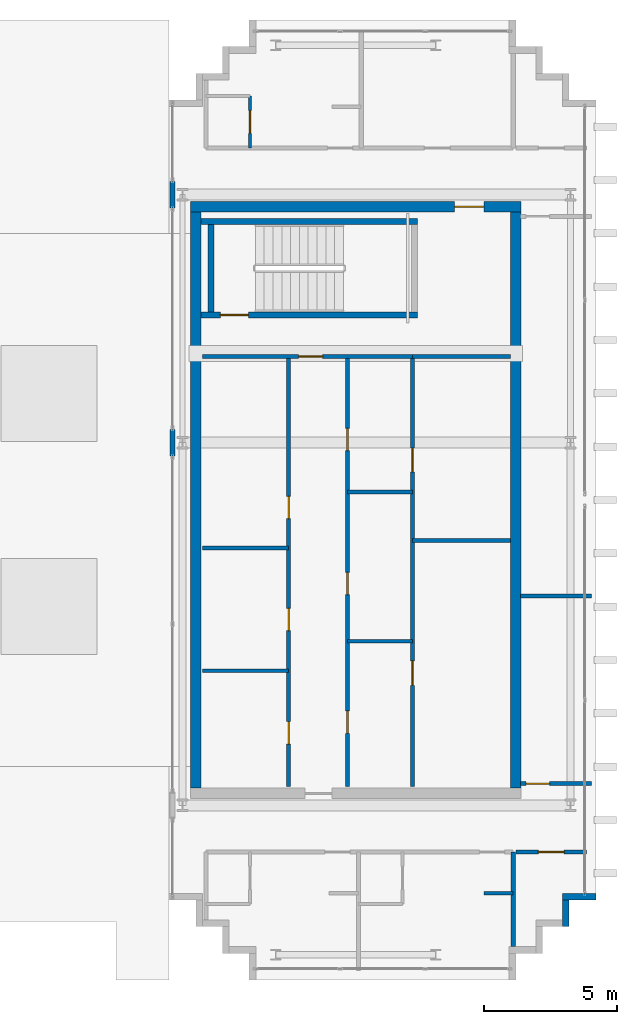
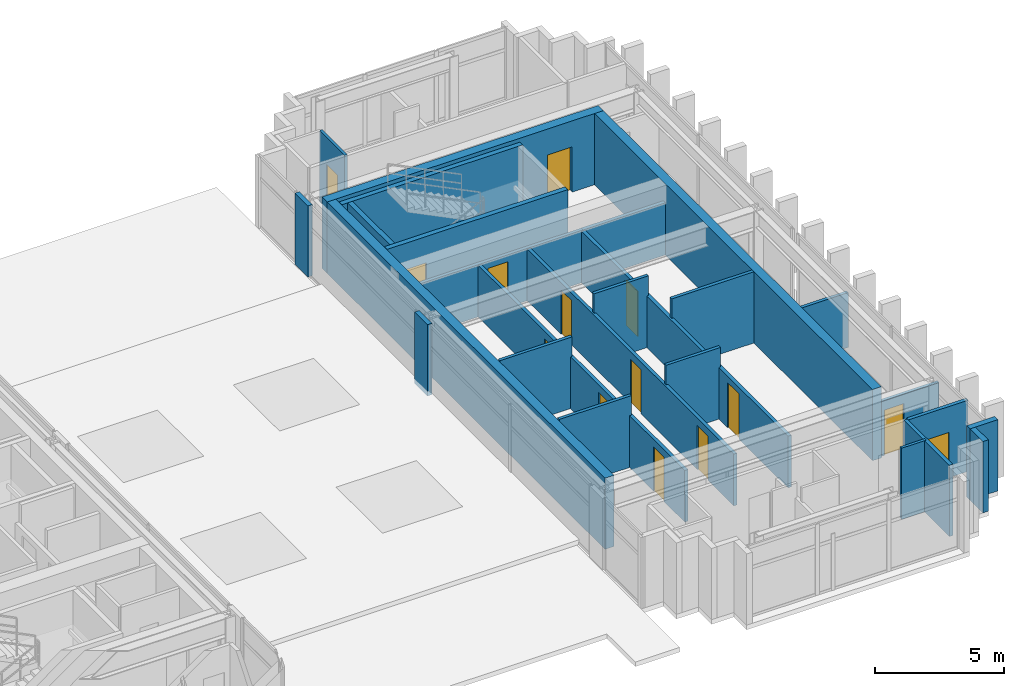
# One storey, part 22 of 25: 26 walls, 14 doors, 14 openings.
"""IFC4 building model written with IfcOpenShell, lengths in metres."""

from ifc_helpers import new_model, si_unit, direction, frame, frame_2d, origin, place, context, subcontext, project, spatial, rectangle, extrude, source, transform, mapped, material, layer, layer_set, type_object, element, fill, save


model = new_model("IFC4")

# Units and contexts
model_context = context("Model", 3, precision=1e-05, world=origin(), true_north=direction((0.0, 1.0)))
body_context = subcontext(model_context, "Body", "Model", "MODEL_VIEW")
ifc_project = project(units=[si_unit("LENGTHUNIT", "METRE"), si_unit("AREAUNIT", "SQUARE_METRE"), si_unit("VOLUMEUNIT", "CUBIC_METRE"), si_unit("PLANEANGLEUNIT", "RADIAN"), si_unit("MASSUNIT", "GRAM", prefix="KILO")], contexts=[model_context])

# Site, building, storey
site_placement = place(None, origin())
site = spatial("IfcSite", under=ifc_project, at=site_placement, CompositionType="ELEMENT")
building_placement = place(site_placement, origin())
building = spatial("IfcBuilding", under=site, at=building_placement, Name="Ocotamira Hotel", CompositionType="ELEMENT")
storey_placement = place(building_placement, frame((0.0, 0.0, 250.800048828125)))
storey = spatial("IfcBuildingStorey", under=building, at=storey_placement, Name="L63", CompositionType="ELEMENT", Elevation=250.800048828125)

# Wall, opening, door
ifc_material_1 = material(Name="Concrete C50/60", Category="concrete")
ifc_layer_1 = layer(ifc_material_1, 0.39990234375)
ifc_layer_set_1 = layer_set([ifc_layer_1], Name="Concrete C50/60")
wall_type_1 = type_object("IfcWallType", Name="WL-CORE-400", PredefinedType="SHEAR", material=ifc_layer_set_1)
wall_1_placement = place(storey_placement, frame((40.800048828125, 37.0, 0.0), z_axis=(0.0, 0.0, 1.0), x_axis=(1.0, 0.0, 0.0)))
wall_1 = element("IfcWall", 1, at=wall_1_placement, inside=storey, type_object=wall_type_1, Name="L63 Shear Core Wall ECORE-N", PredefinedType="SHEAR", context=body_context, shape_type="SweptSolid", body=[
    extrude(rectangle(XDim=12.39990234375, YDim=0.39990234375, at=frame_2d((6.199951171875, 0.0))), origin(), (0.0, 0.0, 1.0), 3.3798828125),
])
opening_1_placement = place(wall_1_placement, frame((9.89990234375, 0.0, 0.0)))
opening_1 = element("IfcOpeningElement", 2, at=opening_1_placement, cuts=wall_1, Name="Opening D-FR1", PredefinedType="OPENING", context=body_context, shape_type="SweptSolid", body=[
    extrude(rectangle(XDim=1.10009765625, YDim=2.14990234375, at=frame_2d((0.550048828125, 1.074951171875))), frame((0.0, 0.2099609375, 0.0), z_axis=(0.0, -1.0, 0.0), x_axis=(1.0, 0.0, 0.0)), (0.0, 0.0, 1.0), 0.419921875),
])
ifc_material_2 = material(Name="Fire-rated acoustic timber-veneer door", Category="wood")
door_type_1 = type_object("IfcDoorType", Name="DR-FIRE-1100", OperationType="NOTDEFINED", PredefinedType="DOOR", material=ifc_material_2)
shared_shape_1 = source(origin(), body_context, "Body", "SweptSolid", [
    extrude(rectangle(XDim=1.10009765625, YDim=2.14990234375, at=frame_2d((0.550048828125, 1.074951171875))), frame((0.0, 0.02490234375, 0.0), z_axis=(0.0, -1.0, 0.0), x_axis=(1.0, 0.0, 0.0)), (0.0, 0.0, 1.0), 0.050048828125),
])
door_1_placement = place(opening_1_placement, origin())
door_1 = element("IfcDoor", 3, at=door_1_placement, inside=storey, type_object=door_type_1, Name="L63 Door ID-L63-ELOB-N-D [ID-L63-ELOB-N-D]", OperationType="SINGLE_SWING_LEFT", OverallHeight=2.14990234375, OverallWidth=1.10009765625, PredefinedType="DOOR", context=body_context, shape_type="MappedRepresentation", body=[
    mapped(shared_shape_1, transform((0.0, 0.0, 0.0), scale=1.0)),
])
fill(opening_1, door_1)

# Walls
for number, where, z_axis, x_axis, name in (
    (4, (41.0, 15.199951171875, 0.0), (0.0, 0.0, 1.0), (0.0, 1.0, 0.0), "L63 Shear Core Wall ECORE-W"),
    (5, (53.0, 15.199951171875, 0.0), (0.0, 0.0, 1.0), (0.0, 1.0, 0.0), "L63 Shear Core Wall ECORE-E"),
):
    element("IfcWall", number, at=place(storey_placement, frame(where, z_axis=z_axis, x_axis=x_axis)), inside=storey, type_object=wall_type_1, Name=name, PredefinedType="SHEAR", context=body_context, shape_type="SweptSolid", body=[
        extrude(rectangle(XDim=21.60009765625, YDim=0.39990234375, at=frame_2d((10.800048828125, 0.0))), origin(), (0.0, 0.0, 1.0), 3.3798828125),
    ])
ifc_material_3 = material(Name="Precast concrete C45/55", Category="concrete")
ifc_layer_2 = layer(ifc_material_3, 0.25)
ifc_layer_set_2 = layer_set([ifc_layer_2], Name="Precast concrete C45/55")
wall_type_2 = type_object("IfcWallType", Name="WL-EXT-SER-250", PredefinedType="SOLIDWALL", material=ifc_layer_set_2)
wall_2_placement = place(storey_placement, frame((54.875, 10.0, 0.0), z_axis=(0.0, 0.0, 1.0), x_axis=(0.0, 1.0, 0.0)))
element("IfcWall", 6, at=wall_2_placement, inside=storey, type_object=wall_type_2, Name="L63 -E Serrated Corner Wall 05", PredefinedType="SOLIDWALL", context=body_context, shape_type="SweptSolid", body=[
    extrude(rectangle(XDim=1.0, YDim=0.25, at=frame_2d((0.5, 0.0))), origin(), (0.0, 0.0, 1.0), 3.3798828125),
])
wall_3_placement = place(storey_placement, frame((54.75, 11.125, 0.0), z_axis=(0.0, 0.0, 1.0), x_axis=(1.0, 0.0, 0.0)))
element("IfcWall", 7, at=wall_3_placement, inside=storey, type_object=wall_type_2, Name="L63 -E Serrated Corner Wall 06", PredefinedType="SOLIDWALL", context=body_context, shape_type="SweptSolid", body=[
    extrude(rectangle(XDim=1.25, YDim=0.25, at=frame_2d((0.625, 0.0))), origin(), (0.0, 0.0, 1.0), 3.3798828125),
])
ifc_material_4 = material(Name="Acoustic double-layer fire gypsum board partition", Category="gypsum")
ifc_layer_3 = layer(ifc_material_4, 0.159912109375)
ifc_layer_set_3 = layer_set([ifc_layer_3], Name="Acoustic double-layer fire gypsum board partition")
wall_type_3 = type_object("IfcWallType", Name="WL-FIRE-160", PredefinedType="PARTITIONING", material=ifc_layer_set_3)
wall_4_placement = place(storey_placement, frame((49.1201171875, 31.3798828125, 0.0), z_axis=(0.0, 0.0, 1.0), x_axis=(1.0, 0.0, 0.0)))
element("IfcWall", 8, at=wall_4_placement, inside=storey, type_object=wall_type_3, Name="L63 Interior Wall PW-L63-EC-FLOW-N", PredefinedType="PARTITIONING", context=body_context, shape_type="SweptSolid", body=[
    extrude(rectangle(XDim=3.679931640625, YDim=0.159912109375, at=frame_2d((1.83984375, 0.0))), origin(), (0.0, 0.0, 1.0), 2.47998046875),
])

# Wall, openings, doors
wall_5_placement = place(storey_placement, frame((49.1201171875, 15.25, 0.0), z_axis=(0.0, 0.0, 1.0), x_axis=(0.0, 1.0, 0.0)))
wall_5 = element("IfcWall", 9, at=wall_5_placement, inside=storey, type_object=wall_type_3, Name="L63 Interior Wall PW-L63-EC-FLOW-W", PredefinedType="PARTITIONING", context=body_context, shape_type="SweptSolid", body=[
    extrude(rectangle(XDim=16.1298828125, YDim=0.159912109375, at=frame_2d((8.06494140625, 0.0))), origin(), (0.0, 0.0, 1.0), 2.452880859375),
])
opening_2_placement = place(wall_5_placement, frame((3.800048828125, 0.0, 0.0)))
opening_2 = element("IfcOpeningElement", 10, at=opening_2_placement, cuts=wall_5, Name="Opening D-SV3", PredefinedType="OPENING", context=body_context, shape_type="SweptSolid", body=[
    extrude(rectangle(XDim=0.919921875, YDim=2.14990234375, at=frame_2d((0.4599609375, 1.074951171875))), frame((0.0, 0.08984375, 0.0), z_axis=(0.0, -1.0, 0.0), x_axis=(1.0, 0.0, 0.0)), (0.0, 0.0, 1.0), 0.179931640625),
])
opening_3_placement = place(wall_5_placement, frame((11.800048828125, 0.0, 0.0)))
opening_3 = element("IfcOpeningElement", 11, at=opening_3_placement, cuts=wall_5, Name="Opening D-IN3", PredefinedType="OPENING", context=body_context, shape_type="SweptSolid", body=[
    extrude(rectangle(XDim=0.89990234375, YDim=2.14990234375, at=frame_2d((0.449951171875, 1.074951171875))), frame((0.0, 0.08984375, 0.0), z_axis=(0.0, -1.0, 0.0), x_axis=(1.0, 0.0, 0.0)), (0.0, 0.0, 1.0), 0.179931640625),
])
ifc_material_5 = material(Name="Painted service room door", Category="steel")
door_type_2 = type_object("IfcDoorType", Name="DR-INT-900", OperationType="NOTDEFINED", PredefinedType="DOOR", material=ifc_material_5)
shared_shape_2 = source(origin(), body_context, "Body", "SweptSolid", [
    extrude(rectangle(XDim=0.89990234375, YDim=2.14990234375, at=frame_2d((0.449951171875, 1.074951171875))), frame((0.0, 0.02490234375, 0.0), z_axis=(0.0, -1.0, 0.0), x_axis=(1.0, 0.0, 0.0)), (0.0, 0.0, 1.0), 0.050048828125),
])
door_2_placement = place(opening_3_placement, origin())
door_2 = element("IfcDoor", 12, at=door_2_placement, inside=storey, type_object=door_type_2, Name="L63 Door ID-L63-EC-FLOW-DB [ID-L63-EC-FLOW-DB]", OperationType="SINGLE_SWING_RIGHT", OverallHeight=2.14990234375, OverallWidth=0.89990234375, PredefinedType="DOOR", context=body_context, shape_type="MappedRepresentation", body=[
    mapped(shared_shape_2, transform((0.0, 0.0, 0.0), scale=1.0)),
])
fill(opening_3, door_2)
ifc_material_6 = material(Name="Fire-rated walnut hospitality door", Category="wood")
door_type_3 = type_object("IfcDoorType", Name="DR-SERV-920", OperationType="NOTDEFINED", PredefinedType="DOOR", material=ifc_material_6)
shared_shape_3 = source(origin(), body_context, "Body", "SweptSolid", [
    extrude(rectangle(XDim=0.919921875, YDim=2.14990234375, at=frame_2d((0.4599609375, 1.074951171875))), frame((0.0, 0.02490234375, 0.0), z_axis=(0.0, -1.0, 0.0), x_axis=(1.0, 0.0, 0.0)), (0.0, 0.0, 1.0), 0.050048828125),
])
door_3_placement = place(opening_2_placement, origin())
door_3 = element("IfcDoor", 13, at=door_3_placement, inside=storey, type_object=door_type_3, Name="L63 Door ID-L63-EC-FLOW-DA [ID-L63-EC-FLOW-DA]", OperationType="SINGLE_SWING_LEFT", OverallHeight=2.14990234375, OverallWidth=0.919921875, PredefinedType="DOOR", context=body_context, shape_type="MappedRepresentation", body=[
    mapped(shared_shape_3, transform((0.0, 0.0, 0.0), scale=1.0)),
])
fill(opening_2, door_3)

# Wall, opening, door
wall_6_placement = place(storey_placement, frame((53.0, 12.800048828125, 0.0), z_axis=(0.0, 0.0, 1.0), x_axis=(1.0, 0.0, 0.0)))
wall_6 = element("IfcWall", 14, at=wall_6_placement, inside=storey, type_object=wall_type_3, Name="L63 Interior Wall PW-L63-SPCSE0-CW", PredefinedType="PARTITIONING", context=body_context, shape_type="SweptSolid", body=[
    extrude(rectangle(XDim=2.64990234375, YDim=0.159912109375, at=frame_2d((1.324951171875, 0.0))), origin(), (0.0, 0.0, 1.0), 3.3798828125),
])
opening_4_placement = place(wall_6_placement, frame((0.844970703125, 0.0, 0.0)))
opening_4 = element("IfcOpeningElement", 15, at=opening_4_placement, cuts=wall_6, Name="Opening D-SV4", PredefinedType="OPENING", context=body_context, shape_type="SweptSolid", body=[
    extrude(rectangle(XDim=0.9599609375, YDim=2.14990234375, at=frame_2d((0.47998046875, 1.074951171875))), frame((0.0, 0.08984375, 0.0), z_axis=(0.0, -1.0, 0.0), x_axis=(1.0, 0.0, 0.0)), (0.0, 0.0, 1.0), 0.179931640625),
])
ifc_material_7 = material(Name="Fire-rated accessible walnut salon door", Category="wood")
door_type_4 = type_object("IfcDoorType", Name="DR-SERV-960", OperationType="NOTDEFINED", PredefinedType="DOOR", material=ifc_material_7)
shared_shape_4 = source(origin(), body_context, "Body", "SweptSolid", [
    extrude(rectangle(XDim=0.9599609375, YDim=2.14990234375, at=frame_2d((0.47998046875, 1.074951171875))), frame((0.0, 0.02490234375, 0.0), z_axis=(0.0, -1.0, 0.0), x_axis=(1.0, 0.0, 0.0)), (0.0, 0.0, 1.0), 0.050048828125),
])
door_4_placement = place(opening_4_placement, origin())
door_4 = element("IfcDoor", 16, at=door_4_placement, inside=storey, type_object=door_type_4, Name="L63 Door ID-L63-SPCSE0-CD [ID-L63-SPCSE0-CD]", OperationType="SINGLE_SWING_LEFT", OverallHeight=2.14990234375, OverallWidth=0.9599609375, PredefinedType="DOOR", context=body_context, shape_type="MappedRepresentation", body=[
    mapped(shared_shape_4, transform((0.0, 0.0, 0.0), scale=1.0)),
])
fill(opening_4, door_4)

# Walls
ifc_layer_4 = layer(ifc_material_3, 0.219970703125)
ifc_layer_set_4 = layer_set([ifc_layer_4], Name="Precast concrete C45/55")
wall_type_4 = type_object("IfcWallType", Name="WL-PARA-220", PredefinedType="PARAPET", material=ifc_layer_set_4)
for number, where, z_axis, x_axis, name in (
    (17, (40.1201171875, 27.64990234375, 0.0), (0.0, 0.0, 1.0), (0.0, 1.0, 0.0), "L63 Split-Wing Column Spandrel Closure E2"),
    (18, (40.1201171875, 36.949951171875, 0.0), (0.0, 0.0, 1.0), (0.0, 1.0, 0.0), "L63 Split-Wing Column Spandrel Closure E3"),
):
    element("IfcWall", number, at=place(storey_placement, frame(where, z_axis=z_axis, x_axis=x_axis)), inside=storey, type_object=wall_type_4, Name=name, PredefinedType="PARAPET", context=body_context, shape_type="SweptSolid", body=[
        extrude(rectangle(XDim=1.0, YDim=0.199951171875, at=frame_2d((0.5, 0.0))), origin(), (0.0, 0.0, 1.0), 3.3798828125),
    ])
ifc_material_8 = material(Name="Moisture-resistant en-suite tile and gypsum partition", Category="gypsum")
ifc_layer_5 = layer(ifc_material_8, 0.1201171875)
ifc_layer_set_5 = layer_set([ifc_layer_5], Name="Moisture-resistant en-suite tile and gypsum partition")
wall_type_5 = type_object("IfcWallType", Name="WL-PART-120", PredefinedType="PARTITIONING", material=ifc_layer_set_5)
wall_7_placement = place(storey_placement, frame((51.800048828125, 11.25, 0.0), z_axis=(0.0, 0.0, 1.0), x_axis=(1.0, 0.0, 0.0)))
element("IfcWall", 19, at=wall_7_placement, inside=storey, type_object=wall_type_5, Name="L63 Interior Wall PW-L63-SPE0S-DRN2", PredefinedType="PARTITIONING", context=body_context, shape_type="SweptSolid", body=[
    extrude(rectangle(XDim=1.099853515625, YDim=0.1201171875, at=frame_2d((0.5498046875, 0.0))), origin(), (0.0, 0.0, 1.0), 3.3798828125),
])

# Wall, opening, door
wall_8_placement = place(storey_placement, frame((43.030029296875, 39.199951171875, 0.0), z_axis=(0.0, 0.0, 1.0), x_axis=(0.0, 1.0, 0.0)))
wall_8 = element("IfcWall", 20, at=wall_8_placement, inside=storey, type_object=wall_type_5, Name="L63 Interior Wall PW-L63-SPE0N-BAE1", PredefinedType="PARTITIONING", context=body_context, shape_type="SweptSolid", body=[
    extrude(rectangle(XDim=1.949951171875, YDim=0.1201171875, at=frame_2d((0.97509765625, 0.0))), origin(), (0.0, 0.0, 1.0), 3.3798828125),
])
opening_5_placement = place(wall_8_placement, frame((0.544921875, 0.0, 0.0)))
opening_5 = element("IfcOpeningElement", 21, at=opening_5_placement, cuts=wall_8, Name="Opening D-BA1", PredefinedType="OPENING", context=body_context, shape_type="SweptSolid", body=[
    extrude(rectangle(XDim=0.860107421875, YDim=2.10009765625, at=frame_2d((0.43017578125, 1.050048828125))), frame((0.0, 0.070068359375, 0.0), z_axis=(0.0, -1.0, 0.0), x_axis=(1.0, 0.0, 0.0)), (0.0, 0.0, 1.0), 0.14013671875),
])
ifc_material_9 = material(Name="Moisture-sealed en-suite timber door", Category="wood")
door_type_5 = type_object("IfcDoorType", Name="DR-BATH-860", OperationType="NOTDEFINED", PredefinedType="DOOR", material=ifc_material_9)
shared_shape_5 = source(origin(), body_context, "Body", "SweptSolid", [
    extrude(rectangle(XDim=0.860107421875, YDim=2.10009765625, at=frame_2d((0.43017578125, 1.050048828125))), frame((0.0, 0.02490234375, 0.0), z_axis=(0.0, -1.0, 0.0), x_axis=(1.0, 0.0, 0.0)), (0.0, 0.0, 1.0), 0.050048828125),
])
door_5_placement = place(opening_5_placement, origin())
door_5 = element("IfcDoor", 22, at=door_5_placement, inside=storey, type_object=door_type_5, Name="L63 Door ID-L63-SPE0N-BAD1 [ID-L63-SPE0N-BAD1]", OperationType="SINGLE_SWING_RIGHT", OverallHeight=2.10009765625, OverallWidth=0.860107421875, PredefinedType="DOOR", context=body_context, shape_type="MappedRepresentation", body=[
    mapped(shared_shape_5, transform((0.0, 0.0, 0.0), scale=1.0)),
])
fill(opening_5, door_5)

# Walls
ifc_material_10 = material(Name="Acoustic hospitality gypsum board partition", Category="gypsum")
ifc_layer_6 = layer(ifc_material_10, 0.14208984375)
ifc_layer_set_6 = layer_set([ifc_layer_6], Name="Acoustic hospitality gypsum board partition")
wall_type_6 = type_object("IfcWallType", Name="WL-PART-142", PredefinedType="PARTITIONING", material=ifc_layer_set_6)
for number, where, z_axis, x_axis, name in (
    (23, (46.679931640625, 20.699951171875, 0.0), (0.0, 0.0, 1.0), (1.0, 0.0, 0.0), "L63 Interior Wall PW-L63-EC-HDIVA"),
    (24, (46.679931640625, 26.300048828125, 0.0), (0.0, 0.0, 1.0), (1.0, 0.0, 0.0), "L63 Interior Wall PW-L63-EC-HDIVB"),
):
    element("IfcWall", number, at=place(storey_placement, frame(where, z_axis=z_axis, x_axis=x_axis)), inside=storey, type_object=wall_type_6, Name=name, PredefinedType="PARTITIONING", context=body_context, shape_type="SweptSolid", body=[
        extrude(rectangle(XDim=2.440185546875, YDim=0.14208984375, at=frame_2d((1.22021484375, 0.0))), origin(), (0.0, 0.0, 1.0), 3.3798828125),
    ])
for number, where, z_axis, x_axis, name in (
    (25, (41.25, 19.60009765625, 0.0), (0.0, 0.0, 1.0), (1.0, 0.0, 0.0), "L63 Interior Wall PW-L63-EC-FMD1"),
    (26, (41.25, 24.199951171875, 0.0), (0.0, 0.0, 1.0), (1.0, 0.0, 0.0), "L63 Interior Wall PW-L63-EC-FMD2"),
):
    element("IfcWall", number, at=place(storey_placement, frame(where, z_axis=z_axis, x_axis=x_axis)), inside=storey, type_object=wall_type_6, Name=name, PredefinedType="PARTITIONING", context=body_context, shape_type="SweptSolid", body=[
        extrude(rectangle(XDim=3.22998046875, YDim=0.14208984375, at=frame_2d((1.614990234375, 0.0))), origin(), (0.0, 0.0, 1.0), 3.3798828125),
    ])
wall_9_placement = place(storey_placement, frame((53.179931640625, 22.39990234375, 0.0), z_axis=(0.0, 0.0, 1.0), x_axis=(1.0, 0.0, 0.0)))
element("IfcWall", 27, at=wall_9_placement, inside=storey, type_object=wall_type_6, Name="L63 Interior Wall PW-L63-SP0E-DV1", PredefinedType="PARTITIONING", context=body_context, shape_type="SweptSolid", body=[
    extrude(rectangle(XDim=2.66015625, YDim=0.14208984375, at=frame_2d((1.330078125, 0.0))), origin(), (0.0, 0.0, 1.0), 2.600830078125),
])

# Wall, opening, door
ifc_layer_7 = layer(ifc_material_10, 0.14990234375)
ifc_layer_set_7 = layer_set([ifc_layer_7], Name="Acoustic hospitality gypsum board partition")
wall_type_7 = type_object("IfcWallType", Name="WL-PART-150", PredefinedType="PARTITIONING", material=ifc_layer_set_7)
wall_10_placement = place(storey_placement, frame((41.25, 31.3798828125, 0.0), z_axis=(0.0, 0.0, 1.0), x_axis=(1.0, 0.0, 0.0)))
wall_10 = element("IfcWall", 28, at=wall_10_placement, inside=storey, type_object=wall_type_7, Name="L63 Interior Wall PW-L63-EC-HMT-N", PredefinedType="PARTITIONING", context=body_context, shape_type="SweptSolid", body=[
    extrude(rectangle(XDim=7.8701171875, YDim=0.14990234375, at=frame_2d((3.93505859375, 0.0))), origin(), (0.0, 0.0, 1.0), 2.47998046875),
])
opening_6_placement = place(wall_10_placement, frame((3.60009765625, 0.0, 0.0)))
opening_6 = element("IfcOpeningElement", 29, at=opening_6_placement, cuts=wall_10, Name="Opening D-IN3", PredefinedType="OPENING", context=body_context, shape_type="SweptSolid", body=[
    extrude(rectangle(XDim=0.89990234375, YDim=2.14990234375, at=frame_2d((0.449951171875, 1.074951171875))), frame((0.0, 0.0849609375, 0.0), z_axis=(0.0, -1.0, 0.0), x_axis=(1.0, 0.0, 0.0)), (0.0, 0.0, 1.0), 0.169921875),
])
door_6_placement = place(opening_6_placement, origin())
door_6 = element("IfcDoor", 30, at=door_6_placement, inside=storey, type_object=door_type_2, Name="L63 Door ID-L63-EC-MGALD [ID-L63-EC-MGALD]", OperationType="SINGLE_SWING_LEFT", OverallHeight=2.14990234375, OverallWidth=0.89990234375, PredefinedType="DOOR", context=body_context, shape_type="MappedRepresentation", body=[
    mapped(shared_shape_2, transform((0.0, 0.0, 0.0), scale=1.0)),
])
fill(opening_6, door_6)

# Wall, openings, doors
wall_11_placement = place(storey_placement, frame((46.679931640625, 15.25, 0.0), z_axis=(0.0, 0.0, 1.0), x_axis=(0.0, 1.0, 0.0)))
wall_11 = element("IfcWall", 31, at=wall_11_placement, inside=storey, type_object=wall_type_7, Name="L63 Interior Wall PW-L63-EC-HMT-W", PredefinedType="PARTITIONING", context=body_context, shape_type="SweptSolid", body=[
    extrude(rectangle(XDim=16.1298828125, YDim=0.14990234375, at=frame_2d((8.06494140625, 0.0))), origin(), (0.0, 0.0, 1.0), 2.452880859375),
])
opening_7_placement = place(wall_11_placement, frame((2.0, 0.0, 0.0)))
opening_7 = element("IfcOpeningElement", 32, at=opening_7_placement, cuts=wall_11, Name="Opening D-SV1", PredefinedType="OPENING", context=body_context, shape_type="SweptSolid", body=[
    extrude(rectangle(XDim=0.840087890625, YDim=2.10009765625, at=frame_2d((0.419921875, 1.050048828125))), frame((0.0, 0.0849609375, 0.0), z_axis=(0.0, -1.0, 0.0), x_axis=(1.0, 0.0, 0.0)), (0.0, 0.0, 1.0), 0.169921875),
])
opening_8_placement = place(wall_11_placement, frame((7.199951171875, 0.0, 0.0)))
opening_8 = element("IfcOpeningElement", 33, at=opening_8_placement, cuts=wall_11, Name="Opening D-SV1", PredefinedType="OPENING", context=body_context, shape_type="SweptSolid", body=[
    extrude(rectangle(XDim=0.840087890625, YDim=2.10009765625, at=frame_2d((0.419921875, 1.050048828125))), frame((0.0, 0.0849609375, 0.0), z_axis=(0.0, -1.0, 0.0), x_axis=(1.0, 0.0, 0.0)), (0.0, 0.0, 1.0), 0.169921875),
])
opening_9_placement = place(wall_11_placement, frame((12.60009765625, 0.0, 0.0)))
opening_9 = element("IfcOpeningElement", 34, at=opening_9_placement, cuts=wall_11, Name="Opening D-SV1", PredefinedType="OPENING", context=body_context, shape_type="SweptSolid", body=[
    extrude(rectangle(XDim=0.840087890625, YDim=2.10009765625, at=frame_2d((0.419921875, 1.050048828125))), frame((0.0, 0.0849609375, 0.0), z_axis=(0.0, -1.0, 0.0), x_axis=(1.0, 0.0, 0.0)), (0.0, 0.0, 1.0), 0.169921875),
])
ifc_material_11 = material(Name="Fire-rated painted steel service door", Category="steel")
door_type_6 = type_object("IfcDoorType", Name="DR-SERV-840", OperationType="NOTDEFINED", PredefinedType="DOOR", material=ifc_material_11)
shared_shape_6 = source(origin(), body_context, "Body", "SweptSolid", [
    extrude(rectangle(XDim=0.840087890625, YDim=2.10009765625, at=frame_2d((0.419921875, 1.050048828125))), frame((0.0, 0.02490234375, 0.0), z_axis=(0.0, -1.0, 0.0), x_axis=(1.0, 0.0, 0.0)), (0.0, 0.0, 1.0), 0.050048828125),
])
door_7_placement = place(opening_7_placement, origin())
door_7 = element("IfcDoor", 35, at=door_7_placement, inside=storey, type_object=door_type_6, Name="L63 Door ID-L63-EC-HMTDA [ID-L63-EC-HMTDA]", OperationType="SINGLE_SWING_LEFT", OverallHeight=2.10009765625, OverallWidth=0.840087890625, PredefinedType="DOOR", context=body_context, shape_type="MappedRepresentation", body=[
    mapped(shared_shape_6, transform((0.0, 0.0, 0.0), scale=1.0)),
])
fill(opening_7, door_7)
door_8_placement = place(opening_8_placement, origin())
door_8 = element("IfcDoor", 36, at=door_8_placement, inside=storey, type_object=door_type_6, Name="L63 Door ID-L63-EC-HMTDB [ID-L63-EC-HMTDB]", OperationType="SINGLE_SWING_RIGHT", OverallHeight=2.10009765625, OverallWidth=0.840087890625, PredefinedType="DOOR", context=body_context, shape_type="MappedRepresentation", body=[
    mapped(shared_shape_6, transform((0.0, 0.0, 0.0), scale=1.0)),
])
fill(opening_8, door_8)
door_9_placement = place(opening_9_placement, origin())
door_9 = element("IfcDoor", 37, at=door_9_placement, inside=storey, type_object=door_type_6, Name="L63 Door ID-L63-EC-HMTDC [ID-L63-EC-HMTDC]", OperationType="SINGLE_SWING_LEFT", OverallHeight=2.10009765625, OverallWidth=0.840087890625, PredefinedType="DOOR", context=body_context, shape_type="MappedRepresentation", body=[
    mapped(shared_shape_6, transform((0.0, 0.0, 0.0), scale=1.0)),
])
fill(opening_9, door_9)

# Wall
wall_12_placement = place(storey_placement, frame((49.1201171875, 24.489990234375, 0.0), z_axis=(0.0, 0.0, 1.0), x_axis=(1.0, 0.0, 0.0)))
element("IfcWall", 38, at=wall_12_placement, inside=storey, type_object=wall_type_7, Name="L63 Interior Wall PW-L63-EC-FDIVA", PredefinedType="PARTITIONING", context=body_context, shape_type="SweptSolid", body=[
    extrude(rectangle(XDim=3.679931640625, YDim=0.14990234375, at=frame_2d((1.83984375, 0.0))), origin(), (0.0, 0.0, 1.0), 3.3798828125),
])

# Wall, openings, doors
wall_13_placement = place(storey_placement, frame((44.47998046875, 15.25, 0.0), z_axis=(0.0, 0.0, 1.0), x_axis=(0.0, 1.0, 0.0)))
wall_13 = element("IfcWall", 39, at=wall_13_placement, inside=storey, type_object=wall_type_7, Name="L63 Interior Wall PW-L63-EC-FMID-E", PredefinedType="PARTITIONING", context=body_context, shape_type="SweptSolid", body=[
    extrude(rectangle(XDim=16.1298828125, YDim=0.14990234375, at=frame_2d((8.06494140625, 0.0))), origin(), (0.0, 0.0, 1.0), 2.452880859375),
])
opening_10_placement = place(wall_13_placement, frame((1.60009765625, 0.0, 0.0)))
opening_10 = element("IfcOpeningElement", 40, at=opening_10_placement, cuts=wall_13, Name="Opening D-SV1", PredefinedType="OPENING", context=body_context, shape_type="SweptSolid", body=[
    extrude(rectangle(XDim=0.840087890625, YDim=2.10009765625, at=frame_2d((0.419921875, 1.050048828125))), frame((0.0, 0.0849609375, 0.0), z_axis=(0.0, -1.0, 0.0), x_axis=(1.0, 0.0, 0.0)), (0.0, 0.0, 1.0), 0.169921875),
])
opening_11_placement = place(wall_13_placement, frame((5.85009765625, 0.0, 0.0)))
opening_11 = element("IfcOpeningElement", 41, at=opening_11_placement, cuts=wall_13, Name="Opening D-SV1", PredefinedType="OPENING", context=body_context, shape_type="SweptSolid", body=[
    extrude(rectangle(XDim=0.840087890625, YDim=2.10009765625, at=frame_2d((0.419921875, 1.050048828125))), frame((0.0, 0.0849609375, 0.0), z_axis=(0.0, -1.0, 0.0), x_axis=(1.0, 0.0, 0.0)), (0.0, 0.0, 1.0), 0.169921875),
])
opening_12_placement = place(wall_13_placement, frame((10.050048828125, 0.0, 0.0)))
opening_12 = element("IfcOpeningElement", 42, at=opening_12_placement, cuts=wall_13, Name="Opening D-SV1", PredefinedType="OPENING", context=body_context, shape_type="SweptSolid", body=[
    extrude(rectangle(XDim=0.840087890625, YDim=2.10009765625, at=frame_2d((0.419921875, 1.050048828125))), frame((0.0, 0.0849609375, 0.0), z_axis=(0.0, -1.0, 0.0), x_axis=(1.0, 0.0, 0.0)), (0.0, 0.0, 1.0), 0.169921875),
])
door_10_placement = place(opening_10_placement, origin())
door_10 = element("IfcDoor", 43, at=door_10_placement, inside=storey, type_object=door_type_6, Name="L63 Door ID-L63-EC-FMD-1 [ID-L63-EC-FMD-1]", OperationType="SINGLE_SWING_LEFT", OverallHeight=2.10009765625, OverallWidth=0.840087890625, PredefinedType="DOOR", context=body_context, shape_type="MappedRepresentation", body=[
    mapped(shared_shape_6, transform((0.0, 0.0, 0.0), scale=1.0)),
])
fill(opening_10, door_10)
door_11_placement = place(opening_11_placement, origin())
door_11 = element("IfcDoor", 44, at=door_11_placement, inside=storey, type_object=door_type_6, Name="L63 Door ID-L63-EC-FMD-2 [ID-L63-EC-FMD-2]", OperationType="SINGLE_SWING_RIGHT", OverallHeight=2.10009765625, OverallWidth=0.840087890625, PredefinedType="DOOR", context=body_context, shape_type="MappedRepresentation", body=[
    mapped(shared_shape_6, transform((0.0, 0.0, 0.0), scale=1.0)),
])
fill(opening_11, door_11)
door_12_placement = place(opening_12_placement, origin())
door_12 = element("IfcDoor", 45, at=door_12_placement, inside=storey, type_object=door_type_6, Name="L63 Door ID-L63-EC-FMD-3 [ID-L63-EC-FMD-3]", OperationType="SINGLE_SWING_LEFT", OverallHeight=2.10009765625, OverallWidth=0.840087890625, PredefinedType="DOOR", context=body_context, shape_type="MappedRepresentation", body=[
    mapped(shared_shape_6, transform((0.0, 0.0, 0.0), scale=1.0)),
])
fill(opening_12, door_12)

# Wall, opening, door
wall_14_placement = place(storey_placement, frame((53.179931640625, 15.360107421875, 0.0), z_axis=(0.0, 0.0, 1.0), x_axis=(1.0, 0.0, 0.0)))
wall_14 = element("IfcWall", 46, at=wall_14_placement, inside=storey, type_object=wall_type_7, Name="L63 Interior Wall PW-L63-SP0E-WS", PredefinedType="PARTITIONING", context=body_context, shape_type="SweptSolid", body=[
    extrude(rectangle(XDim=2.66015625, YDim=0.14990234375, at=frame_2d((1.330078125, 0.0))), origin(), (0.0, 0.0, 1.0), 2.600830078125),
])
opening_13_placement = place(wall_14_placement, frame((0.199951171875, 0.0, 0.0)))
opening_13 = element("IfcOpeningElement", 47, at=opening_13_placement, cuts=wall_14, Name="Opening D-SV2", PredefinedType="OPENING", context=body_context, shape_type="SweptSolid", body=[
    extrude(rectangle(XDim=0.8798828125, YDim=2.14990234375, at=frame_2d((0.43994140625, 1.074951171875))), frame((0.0, 0.0849609375, 0.0), z_axis=(0.0, -1.0, 0.0), x_axis=(1.0, 0.0, 0.0)), (0.0, 0.0, 1.0), 0.169921875),
])
door_type_7 = type_object("IfcDoorType", Name="DR-SERV-880", OperationType="NOTDEFINED", PredefinedType="DOOR", material=ifc_material_11)
shared_shape_7 = source(origin(), body_context, "Body", "SweptSolid", [
    extrude(rectangle(XDim=0.8798828125, YDim=2.14990234375, at=frame_2d((0.43994140625, 1.074951171875))), frame((0.0, 0.02490234375, 0.0), z_axis=(0.0, -1.0, 0.0), x_axis=(1.0, 0.0, 0.0)), (0.0, 0.0, 1.0), 0.050048828125),
])
door_13_placement = place(opening_13_placement, origin())
door_13 = element("IfcDoor", 48, at=door_13_placement, inside=storey, type_object=door_type_7, Name="L63 Door ID-L63-SP0E-DS [ID-L63-SP0E-DS]", OperationType="SINGLE_SWING_RIGHT", OverallHeight=2.14990234375, OverallWidth=0.8798828125, PredefinedType="DOOR", context=body_context, shape_type="MappedRepresentation", body=[
    mapped(shared_shape_7, transform((0.0, 0.0, 0.0), scale=1.0)),
])
fill(opening_13, door_13)

# Wall
ifc_material_12 = material(Name="Acoustic double-stud hospitality gypsum partition", Category="gypsum")
ifc_layer_8 = layer(ifc_material_12, 0.159912109375)
ifc_layer_set_8 = layer_set([ifc_layer_8], Name="Acoustic double-stud hospitality gypsum partition")
wall_type_8 = type_object("IfcWallType", Name="WL-PART-160", PredefinedType="PARTITIONING", material=ifc_layer_set_8)
wall_15_placement = place(storey_placement, frame((52.89990234375, 9.260009765625, 0.0), z_axis=(0.0, 0.0, 1.0), x_axis=(0.0, 1.0, 0.0)))
element("IfcWall", 49, at=wall_15_placement, inside=storey, type_object=wall_type_8, Name="L63 Interior Wall PW-L63-SPE0S-PWEND", PredefinedType="PARTITIONING", context=body_context, shape_type="SweptSolid", body=[
    extrude(rectangle(XDim=3.5400390625, YDim=0.159912109375, at=frame_2d((1.77001953125, 0.0))), origin(), (0.0, 0.0, 1.0), 3.3798828125),
])

# Wall, opening, door
ifc_layer_9 = layer(ifc_material_1, 0.219970703125)
ifc_layer_set_9 = layer_set([ifc_layer_9], Name="Concrete C50/60")
wall_type_9 = type_object("IfcWallType", Name="WL-STAIR-220", PredefinedType="SHEAR", material=ifc_layer_set_9)
wall_16_placement = place(storey_placement, frame((41.199951171875, 32.93994140625, 0.0), z_axis=(0.0, 0.0, 1.0), x_axis=(1.0, 0.0, 0.0)))
wall_16 = element("IfcWall", 50, at=wall_16_placement, inside=storey, type_object=wall_type_9, Name="L63 Stair Shaft Structural Wall ST-4-S", PredefinedType="SHEAR", context=body_context, shape_type="SweptSolid", body=[
    extrude(rectangle(XDim=8.110107421875, YDim=0.219970703125, at=frame_2d((4.05517578125, 0.0))), origin(), (0.0, 0.0, 1.0), 3.39990234375),
])
opening_14_placement = place(wall_16_placement, frame((0.719970703125, 0.0, 0.0)))
opening_14 = element("IfcOpeningElement", 51, at=opening_14_placement, cuts=wall_16, Name="Opening D-ST2", PredefinedType="OPENING", context=body_context, shape_type="SweptSolid", body=[
    extrude(rectangle(XDim=1.050048828125, YDim=2.14990234375, at=frame_2d((0.52490234375, 1.074951171875))), frame((0.0, 0.1201171875, 0.0), z_axis=(0.0, -1.0, 0.0), x_axis=(1.0, 0.0, 0.0)), (0.0, 0.0, 1.0), 0.239990234375),
])
ifc_material_13 = material(Name="Insulated painted hollow-metal fire exit door", Category="steel")
door_type_8 = type_object("IfcDoorType", Name="DR-STAIR-1050", OperationType="NOTDEFINED", PredefinedType="DOOR", material=ifc_material_13)
shared_shape_8 = source(origin(), body_context, "Body", "SweptSolid", [
    extrude(rectangle(XDim=1.050048828125, YDim=2.14990234375, at=frame_2d((0.52490234375, 1.074951171875))), frame((0.0, 0.02490234375, 0.0), z_axis=(0.0, -1.0, 0.0), x_axis=(1.0, 0.0, 0.0)), (0.0, 0.0, 1.0), 0.050048828125),
])
door_14_placement = place(opening_14_placement, origin())
door_14 = element("IfcDoor", 52, at=door_14_placement, inside=storey, type_object=door_type_8, Name="L63 Door ID-L63-STD-ST-4 [ID-L63-STD-ST-4]", OperationType="SINGLE_SWING_LEFT", OverallHeight=2.14990234375, OverallWidth=1.050048828125, PredefinedType="DOOR", context=body_context, shape_type="MappedRepresentation", body=[
    mapped(shared_shape_8, transform((0.0, 0.0, 0.0), scale=1.0)),
])
fill(opening_14, door_14)

# Walls
wall_17_placement = place(storey_placement, frame((41.199951171875, 36.43994140625, 0.0), z_axis=(0.0, 0.0, 1.0), x_axis=(1.0, 0.0, 0.0)))
element("IfcWall", 53, at=wall_17_placement, inside=storey, type_object=wall_type_9, Name="L63 Stair Shaft Structural Wall ST-4-N", PredefinedType="SHEAR", context=body_context, shape_type="SweptSolid", body=[
    extrude(rectangle(XDim=8.110107421875, YDim=0.219970703125, at=frame_2d((4.05517578125, 0.0))), origin(), (0.0, 0.0, 1.0), 3.39990234375),
])
wall_18_placement = place(storey_placement, frame((41.56005859375, 33.050048828125, 0.0), z_axis=(0.0, 0.0, 1.0), x_axis=(0.0, 1.0, 0.0)))
element("IfcWall", 54, at=wall_18_placement, inside=storey, type_object=wall_type_9, Name="L63 Stair Shaft Structural Wall ST-4-W", PredefinedType="SHEAR", context=body_context, shape_type="SweptSolid", body=[
    extrude(rectangle(XDim=3.280029296875, YDim=0.219970703125, at=frame_2d((1.64013671875, 0.0))), origin(), (0.0, 0.0, 1.0), 3.39990234375),
])

save(model, "model.ifc")
